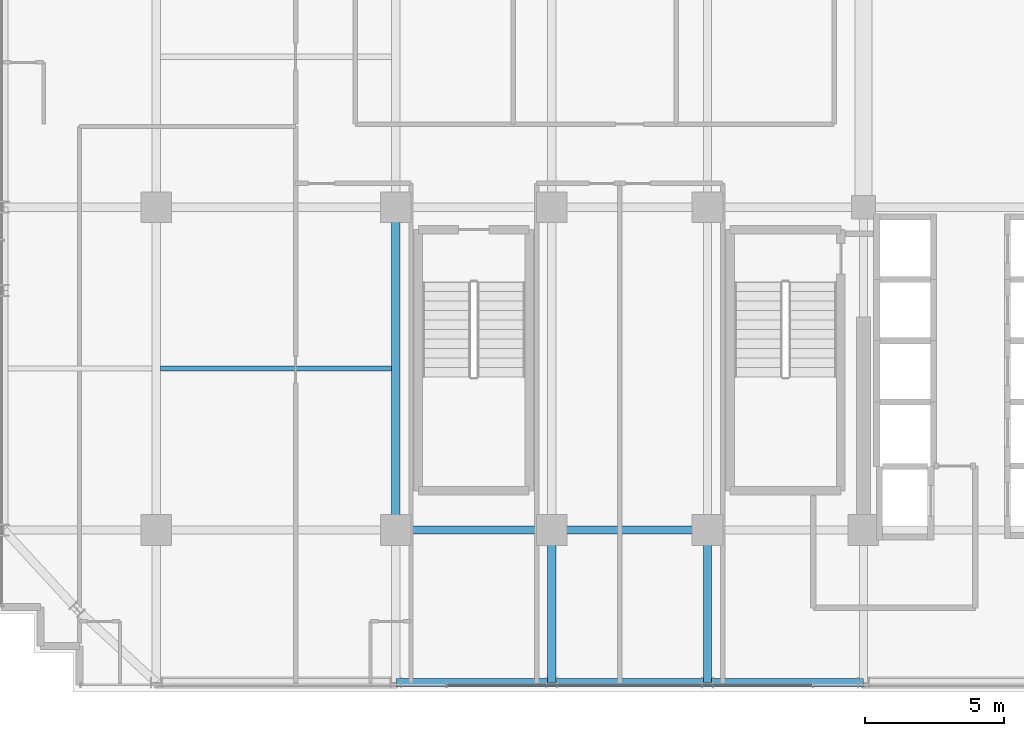
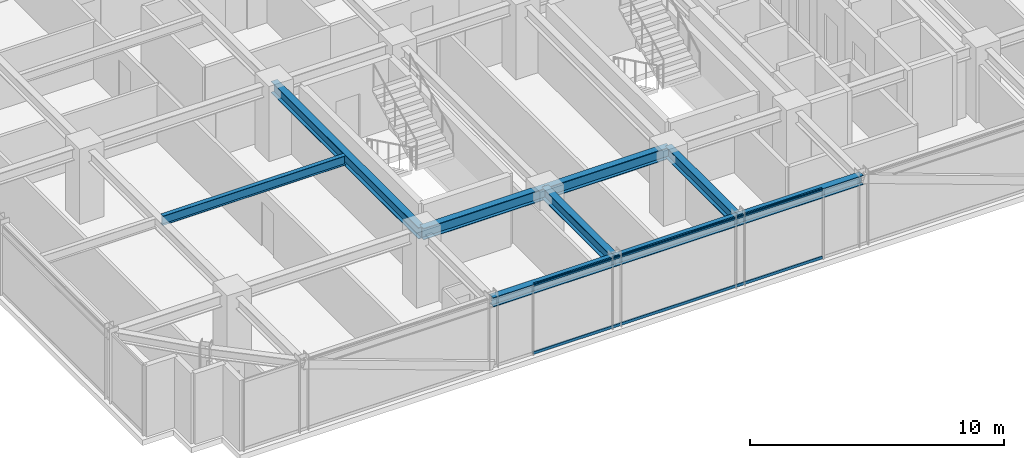
# One storey, part 5 of 29: 9 beams, 2 members, 1 element without a shape of its own.
"""IFC4 building model written with IfcOpenShell, lengths in metres."""

from ifc_helpers import new_model, si_unit, direction, frame, origin, origin_2d, place, context, subcontext, project, spatial, hollow_rectangle, i_section, extrude, source, transform, mapped, material, material_profile, profile_set, type_object, element, aggregate, save


model = new_model("IFC4")

# Units and contexts
model_context = context("Model", 3, precision=1e-05, world=origin(), true_north=direction((0.0, 1.0)))
body_context = subcontext(model_context, "Body", "Model", "MODEL_VIEW")
ifc_project = project(units=[si_unit("LENGTHUNIT", "METRE"), si_unit("AREAUNIT", "SQUARE_METRE"), si_unit("VOLUMEUNIT", "CUBIC_METRE"), si_unit("PLANEANGLEUNIT", "RADIAN"), si_unit("MASSUNIT", "GRAM", prefix="KILO")], contexts=[model_context])

# Site, building, storey
site_placement = place(None, origin())
site = spatial("IfcSite", under=ifc_project, at=site_placement, CompositionType="ELEMENT")
building_placement = place(site_placement, origin())
building = spatial("IfcBuilding", under=site, at=building_placement, Name="Nahalor Promenade Grand Hotel", CompositionType="ELEMENT")
storey_placement = place(building_placement, frame((0.0, 0.0, 189.14990234375)))
storey = spatial("IfcBuildingStorey", under=building, at=storey_placement, Name="L48", CompositionType="ELEMENT", Elevation=189.14990234375)

# Beams
ifc_material_1 = material(Name="Steel S355JR", Category="steel")
ifc_material_profile_1 = material_profile(ifc_material_1, i_section(OverallWidth=0.3, OverallDepth=0.55, WebThickness=0.015, FlangeThickness=0.029, at=origin_2d()), Name="HEB 550")
ifc_profile_set_1 = profile_set([ifc_material_profile_1], Name="Steel S355JR")
beam_type_1 = type_object("IfcBeamType", Name="Beam-Girder-HEB550", PredefinedType="BEAM", material=ifc_profile_set_1)
shared_shape_1 = source(origin(), body_context, "Body", "SweptSolid", [
    extrude(i_section(OverallWidth=0.3, OverallDepth=0.55, WebThickness=0.015, FlangeThickness=0.029, at=origin_2d()), origin(), (0.0, 0.0, 1.0), 5.599853515625),
])
beam_1_placement = place(storey_placement, frame((-8.39990234375, -17.0, 3.114990234375), z_axis=(1.0, 0.0, 0.0), x_axis=(0.0, 1.0, 0.0)))
element("IfcBeam", 1, at=beam_1_placement, inside=storey, type_object=beam_type_1, Name="BM-L48-GX-0-2", PredefinedType="BEAM", context=body_context, shape_type="MappedRepresentation", body=[
    mapped(shared_shape_1, transform((0.0, 0.0, 0.0), scale=1.0)),
])
shared_shape_2 = source(origin(), body_context, "Body", "SweptSolid", [
    extrude(i_section(OverallWidth=0.3, OverallDepth=0.55, WebThickness=0.015, FlangeThickness=0.029, at=origin_2d()), origin(), (0.0, 0.0, 1.0), 5.60009765625),
])
beam_2_placement = place(storey_placement, frame((-2.800048828125, -17.0, 3.114990234375), z_axis=(1.0, 0.0, 0.0), x_axis=(0.0, 1.0, 0.0)))
element("IfcBeam", 2, at=beam_2_placement, inside=storey, type_object=beam_type_1, Name="BM-L48-GX-0-3", PredefinedType="BEAM", context=body_context, shape_type="MappedRepresentation", body=[
    mapped(shared_shape_2, transform((0.0, 0.0, 0.0), scale=1.0)),
])
shared_shape_3 = source(origin(), body_context, "Body", "SweptSolid", [
    extrude(i_section(OverallWidth=0.3, OverallDepth=0.55, WebThickness=0.015, FlangeThickness=0.029, at=origin_2d()), origin(), (0.0, 0.0, 1.0), 11.60009765625),
])
beam_3_placement = place(storey_placement, frame((-8.39990234375, -17.0, 3.114990234375), z_axis=(0.0, 1.0, 0.0), x_axis=(-1.0, 0.0, 0.0)))
element("IfcBeam", 3, at=beam_3_placement, inside=storey, type_object=beam_type_1, Name="BM-L48-GY-1-1", PredefinedType="BEAM", context=body_context, shape_type="MappedRepresentation", body=[
    mapped(shared_shape_3, transform((0.0, 0.0, 0.0), scale=1.0)),
])
ifc_material_profile_2 = material_profile(ifc_material_1, i_section(OverallWidth=0.19, OverallDepth=0.45, WebThickness=0.0094, FlangeThickness=0.0146, at=origin_2d()), Name="IPE 450")
ifc_profile_set_2 = profile_set([ifc_material_profile_2], Name="Steel S355JR")
beam_type_2 = type_object("IfcBeamType", Name="Beam-Joist-IPE450", PredefinedType="JOIST", material=ifc_profile_set_2)
shared_shape_4 = source(origin(), body_context, "Body", "SweptSolid", [
    extrude(i_section(OverallWidth=0.19, OverallDepth=0.45, WebThickness=0.0094, FlangeThickness=0.0146, at=origin_2d()), origin(), (0.0, 0.0, 1.0), 8.300048828125),
])
beam_4_placement = place(storey_placement, frame((-16.85009765625, -11.199951171875, 3.1650390625), z_axis=(1.0, 0.0, 0.0), x_axis=(0.0, 1.0, 0.0)))
element("IfcBeam", 4, at=beam_4_placement, inside=storey, type_object=beam_type_2, Name="BM-L48-JSW-0-1", PredefinedType="JOIST", context=body_context, shape_type="MappedRepresentation", body=[
    mapped(shared_shape_4, transform((0.0, 0.0, 0.0), scale=1.0)),
])
shared_shape_5 = source(origin(), body_context, "Body", "SweptSolid", [
    extrude(i_section(OverallWidth=0.3, OverallDepth=0.55, WebThickness=0.015, FlangeThickness=0.029, at=origin_2d()), origin(), (0.0, 0.0, 1.0), 5.47998046875),
])
for number, where, z_axis, x_axis, name in (
    (5, (-2.800048828125, -22.47998046875, 3.114990234375), (0.0, 1.0, 0.0), (-1.0, 0.0, 0.0), "BM-L48-GY-2-0"),
    (6, (2.800048828125, -22.47998046875, 3.114990234375), (0.0, 1.0, 0.0), (-1.0, 0.0, 0.0), "BM-L48-GY-3-0"),
):
    element("IfcBeam", number, at=place(storey_placement, frame(where, z_axis=z_axis, x_axis=x_axis)), inside=storey, type_object=beam_type_1, Name=name, PredefinedType="BEAM", context=body_context, shape_type="MappedRepresentation", body=[
        mapped(shared_shape_5, transform((0.0, 0.0, 0.0), scale=1.0)),
    ])
ifc_material_profile_3 = material_profile(ifc_material_1, i_section(OverallWidth=0.3, OverallDepth=0.45, WebThickness=0.014, FlangeThickness=0.026, at=origin_2d()), Name="HEB 450")
ifc_profile_set_3 = profile_set([ifc_material_profile_3], Name="Steel S355JR")
beam_type_3 = type_object("IfcBeamType", Name="Beam-Spandrel-HEB450", PredefinedType="SPANDREL", material=ifc_profile_set_3)
shared_shape_6 = source(origin(), body_context, "Body", "SweptSolid", [
    extrude(i_section(OverallWidth=0.3, OverallDepth=0.45, WebThickness=0.014, FlangeThickness=0.026, at=origin_2d()), origin(), (0.0, 0.0, 1.0), 5.599853515625),
])
for number, where, z_axis, x_axis, name in (
    (7, (-8.39990234375, -22.47998046875, 3.1650390625), (1.0, 0.0, 0.0), (0.0, 1.0, 0.0), "BM-L48-SP-S-1"),
    (8, (2.800048828125, -22.47998046875, 3.1650390625), (1.0, 0.0, 0.0), (0.0, 1.0, 0.0), "BM-L48-SP-S-3"),
):
    element("IfcBeam", number, at=place(storey_placement, frame(where, z_axis=z_axis, x_axis=x_axis)), inside=storey, type_object=beam_type_3, Name=name, PredefinedType="SPANDREL", context=body_context, shape_type="MappedRepresentation", body=[
        mapped(shared_shape_6, transform((0.0, 0.0, 0.0), scale=1.0)),
    ])
shared_shape_7 = source(origin(), body_context, "Body", "SweptSolid", [
    extrude(i_section(OverallWidth=0.3, OverallDepth=0.45, WebThickness=0.014, FlangeThickness=0.026, at=origin_2d()), origin(), (0.0, 0.0, 1.0), 5.60009765625),
])
beam_5_placement = place(storey_placement, frame((-2.800048828125, -22.47998046875, 3.1650390625), z_axis=(1.0, 0.0, 0.0), x_axis=(0.0, 1.0, 0.0)))
element("IfcBeam", 9, at=beam_5_placement, inside=storey, type_object=beam_type_3, Name="BM-L48-SP-S-2", PredefinedType="SPANDREL", context=body_context, shape_type="MappedRepresentation", body=[
    mapped(shared_shape_7, transform((0.0, 0.0, 0.0), scale=1.0)),
])

# Curtain wall, members
ifc_material_2 = material(Name="Anodised Bronze Aluminium EN AW-6063 T6", Category="aluminium")
curtain_wall_type = type_object("IfcCurtainWallType", Name="CW2 Typical Hotel Flush Bronze Unitised Curtain Wall", PredefinedType="USERDEFINED", material=ifc_material_2)
curtain_wall_placement = place(storey_placement, origin())
curtain_wall = element("IfcCurtainWall", 10, at=curtain_wall_placement, inside=storey, type_object=curtain_wall_type, Name="L48 Curtain Wall CW-L48-S-1", ObjectType="UNITISED_CURTAIN_WALL", PredefinedType="USERDEFINED")
ifc_material_profile_4 = material_profile(ifc_material_2, hollow_rectangle(XDim=0.065, YDim=0.13, WallThickness=0.004, at=origin_2d()), Name="CWT 65x130x4")
ifc_profile_set_4 = profile_set([ifc_material_profile_4], Name="Anodised Bronze Aluminium EN AW-6063 T6")
member_type = type_object("IfcMemberType", Name="CWT2 Typical Bronze Transom 65x130", PredefinedType="USERDEFINED", material=ifc_profile_set_4)
shared_shape_8 = source(origin(), body_context, "Body", "SweptSolid", [
    extrude(hollow_rectangle(XDim=0.065, YDim=0.13, WallThickness=0.004, at=origin_2d()), origin(), (0.0, 0.0, 1.0), 13.1083984375),
])
member_1_placement = place(storey_placement, frame((-6.55419921875, -22.56005859375, 0.065185546875), z_axis=(1.0, 0.0, 0.0), x_axis=(0.0, 1.0, 0.0)))
member_1 = element("IfcMember", 11, at=member_1_placement, type_object=member_type, Name="CW-L48-S-1 Transom 1-0", ObjectType="TRANSOM", PredefinedType="USERDEFINED", context=body_context, shape_type="MappedRepresentation", body=[
    mapped(shared_shape_8, transform((0.0, 0.0, 0.0), scale=1.0)),
])
member_2_placement = place(storey_placement, frame((-6.55419921875, -22.56005859375, 3.3251953125), z_axis=(1.0, 0.0, 0.0), x_axis=(0.0, 1.0, 0.0)))
member_2 = element("IfcMember", 12, at=member_2_placement, type_object=member_type, Name="CW-L48-S-1 Transom 1-1", ObjectType="TRANSOM", PredefinedType="USERDEFINED", context=body_context, shape_type="MappedRepresentation", body=[
    mapped(shared_shape_8, transform((0.0, 0.0, 0.0), scale=1.0)),
])
aggregate(curtain_wall, [member_1, member_2])

save(model, "model.ifc")
